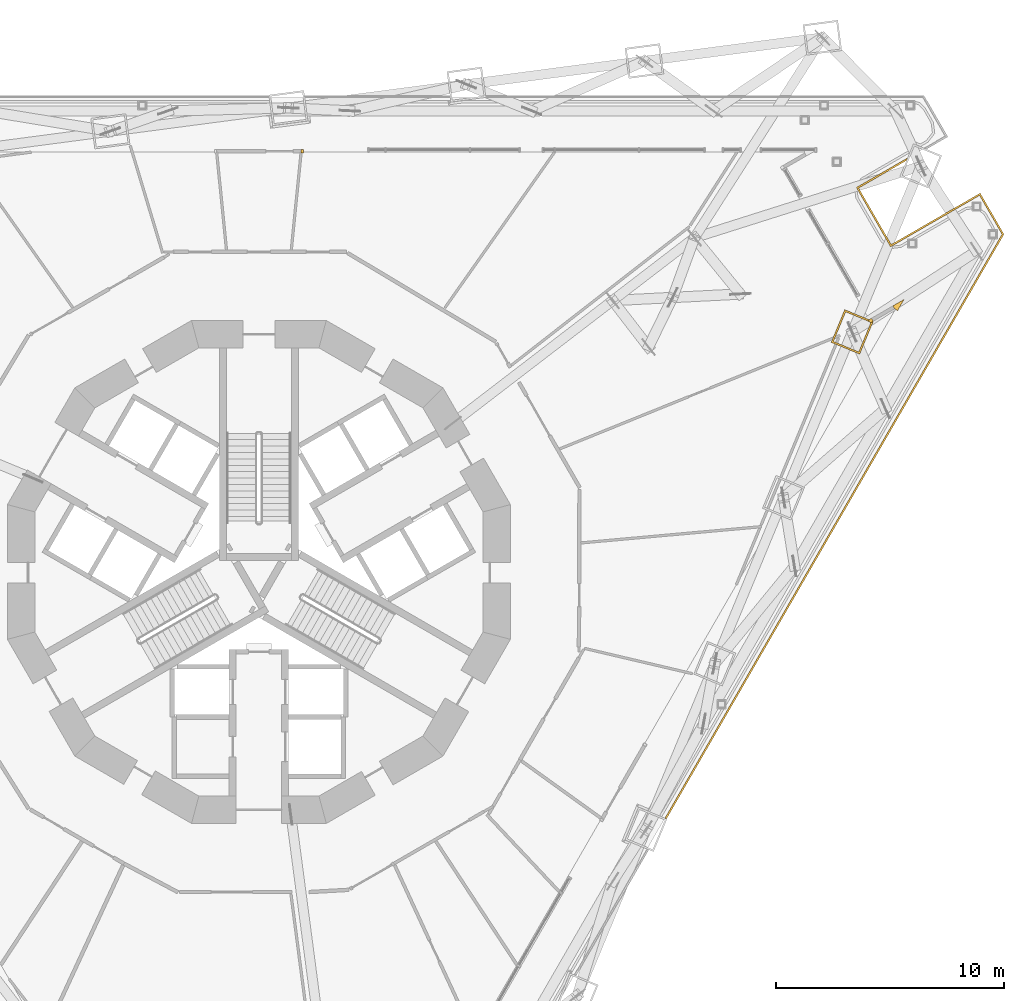
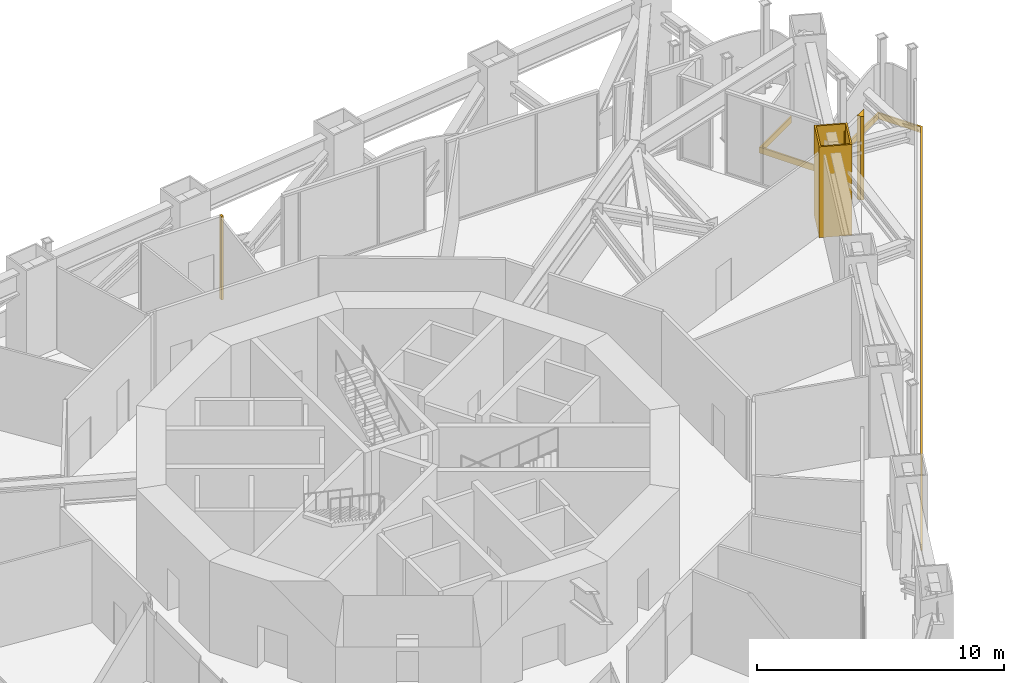
# One storey, part 27 of 28: 5 coverings.
"""IFC4 building model written with IfcOpenShell, lengths in metres."""

from ifc_helpers import new_model, si_unit, direction, frame, origin, place, context, subcontext, project, spatial, polyline, outline, extrude, material, layer, layer_set, type_object, element, save


model = new_model("IFC4")

# Units and contexts
model_context = context("Model", 3, precision=1e-05, world=origin(), true_north=direction((0.0, 1.0)))
body_context = subcontext(model_context, "Body", "Model", "MODEL_VIEW")
ifc_project = project(units=[si_unit("LENGTHUNIT", "METRE"), si_unit("AREAUNIT", "SQUARE_METRE"), si_unit("VOLUMEUNIT", "CUBIC_METRE"), si_unit("PLANEANGLEUNIT", "RADIAN"), si_unit("MASSUNIT", "GRAM", prefix="KILO")], contexts=[model_context])

# Site, building, storey
site_placement = place(None, origin())
site = spatial("IfcSite", under=ifc_project, at=site_placement, CompositionType="ELEMENT")
building_placement = place(site_placement, origin())
building = spatial("IfcBuilding", under=site, at=building_placement, Name="Trine Commons Tower", CompositionType="ELEMENT")
storey_placement = place(building_placement, frame((0.0, 0.0, 45.89990234375)))
storey = spatial("IfcBuildingStorey", under=building, at=storey_placement, Name="L10", CompositionType="ELEMENT", Elevation=45.89990234375)

# Coverings
ifc_material_1 = material(Name="Aluminium-framed insulated wall panel", Category="aluminium")
ifc_layer_1 = layer(ifc_material_1, 0.14990234375)
ifc_layer_set_1 = layer_set([ifc_layer_1], Name="Aluminium-framed insulated wall panel")
covering_type_1 = type_object("IfcCoveringType", Name="Glazing corner post, aluminium", PredefinedType="CLADDING", material=ifc_layer_set_1)
covering_1_placement = place(storey_placement, origin())
element("IfcCovering", 1, at=covering_1_placement, inside=storey, type_object=covering_type_1, Name="Entrance wall jamb post F1 7B", PredefinedType="CLADDING", context=body_context, shape_type="SweptSolid", body=[
    extrude(outline(polyline([(81.84912109375, 80.99462890625), (81.94921875, 80.99462890625), (81.94921875, 80.844482421875), (81.84912109375, 80.844482421875), (81.84912109375, 80.99462890625)])), origin(), (0.0, 0.0, 1.0), 4.150146484375),
])
covering_2_placement = place(storey_placement, origin())
element("IfcCovering", 2, at=covering_2_placement, inside=storey, type_object=covering_type_1, Name="Glazing corner post 1-07", PredefinedType="CLADDING", context=body_context, shape_type="SweptSolid", body=[
    extrude(outline(polyline([(106.688720703125, 73.532470703125), (106.763671875, 73.402587890625), (106.8935546875, 73.4775390625), (106.818603515625, 73.607421875), (106.688720703125, 73.532470703125)])), origin(), (0.0, 0.0, 1.0), 4.150146484375),
])
covering_3_placement = place(storey_placement, origin())
element("IfcCovering", 3, at=covering_3_placement, inside=storey, type_object=covering_type_1, Name="Glazing corner post 1-08", PredefinedType="CLADDING", context=body_context, shape_type="SweptSolid", body=[
    extrude(outline(polyline([(107.963623046875, 73.9453125), (108.24365234375, 74.43017578125), (107.7587890625, 74.150146484375), (107.833740234375, 74.020263671875), (107.963623046875, 73.9453125)])), origin(), (0.0, 0.0, 1.0), 4.150146484375),
])
ifc_material_2 = material(Name="Limestone, honed", Category="masonry")
ifc_layer_2 = layer(ifc_material_2, 0.074951171875)
ifc_layer_set_2 = layer_set([ifc_layer_2], Name="Limestone, honed")
covering_type_2 = type_object("IfcCoveringType", Name="Limestone column cladding 75", PredefinedType="CLADDING", material=ifc_layer_set_2)
covering_4_placement = place(storey_placement, origin())
element("IfcCovering", 4, at=covering_4_placement, inside=storey, type_object=covering_type_2, Name="Limestone pier cladding 2-18", PredefinedType="CLADDING", context=body_context, shape_type="SweptSolid", body=[
    extrude(outline(polyline([(106.896484375, 73.46826171875), (105.6494140625, 73.98486328125), (105.05615234375, 72.552978515625), (106.30322265625, 72.036376953125), (106.896484375, 73.46826171875)]), holes=[polyline([(106.798583984375, 73.427734375), (105.68994140625, 73.886962890625), (105.154052734375, 72.593505859375), (106.2626953125, 72.13427734375), (106.798583984375, 73.427734375)])]), origin(), (0.0, 0.0, 1.0), 4.5),
])
ifc_layer_3 = layer(ifc_material_2, 0.074951171875)
ifc_layer_set_3 = layer_set([ifc_layer_3], Name="Limestone, honed")
covering_type_3 = type_object("IfcCoveringType", Name="Limestone spandrel panel 75", PredefinedType="CLADDING", material=ifc_layer_set_3)
covering_5_placement = place(storey_placement, frame((0.0, 0.0, -0.2998046875)))
element("IfcCovering", 5, at=covering_5_placement, inside=storey, type_object=covering_type_3, Name="Limestone spandrel panel 1-05", PredefinedType="CLADDING", context=body_context, shape_type="SweptSolid", body=[
    extrude(outline(polyline([(106.25927734375, 79.30615234375), (108.3544921875, 80.515869140625), (108.401611328125, 80.629638671875), (106.15673828125, 79.33349609375), (107.65673828125, 76.735595703125), (111.5537109375, 78.985595703125), (112.535888671875, 77.28466796875), (97.77685546875, 51.72119140625), (97.8466796875, 51.6923828125), (112.62255859375, 77.28466796875), (111.581298828125, 79.087890625), (107.68408203125, 76.837890625), (106.25927734375, 79.30615234375)])), origin(), (0.0, 0.0, 1.0), 0.2998046875),
])

save(model, "model.ifc")
